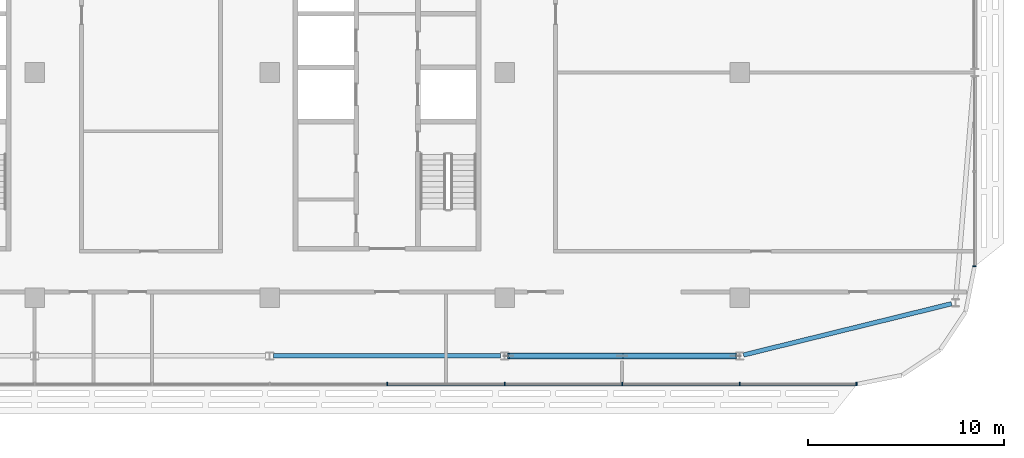
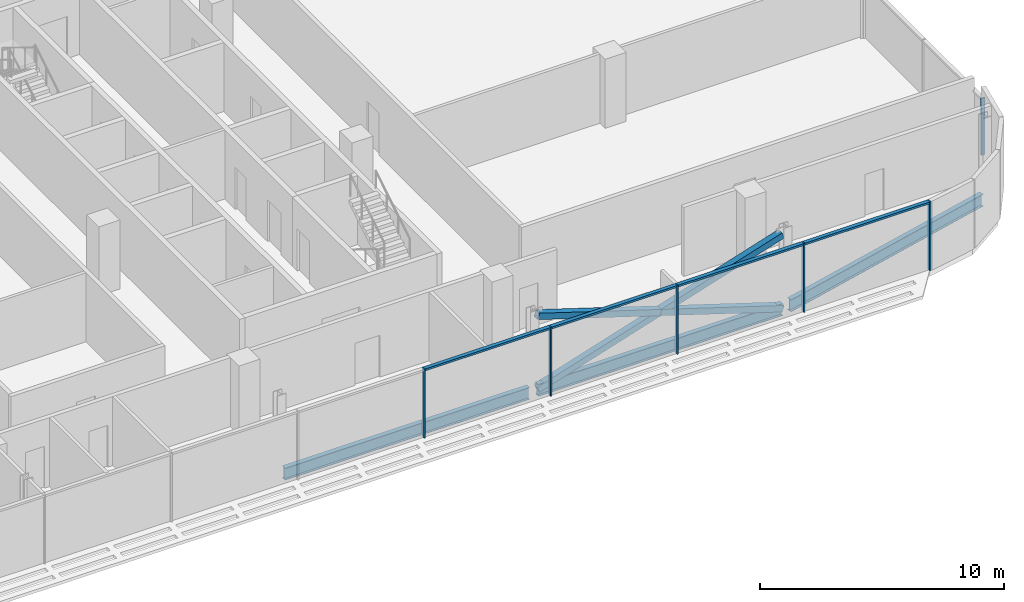
# One storey, part 12 of 32: 13 members, 3 beams, 2 elements without a shape of their own.
"""IFC4 building model written with IfcOpenShell, lengths in metres."""

from ifc_helpers import new_model, si_unit, direction, frame, origin, origin_2d, place, context, subcontext, project, spatial, rectangle, hollow_rectangle, i_section, extrude, material, material_profile, profile_set, type_object, element, aggregate, save


model = new_model("IFC4")

# Units and contexts
model_context = context("Model", 3, precision=1e-05, world=origin(), true_north=direction((0.0, 1.0)))
body_context = subcontext(model_context, "Body", "Model", "MODEL_VIEW")
ifc_project = project(units=[si_unit("LENGTHUNIT", "METRE"), si_unit("AREAUNIT", "SQUARE_METRE"), si_unit("VOLUMEUNIT", "CUBIC_METRE"), si_unit("PLANEANGLEUNIT", "RADIAN"), si_unit("MASSUNIT", "GRAM", prefix="KILO")], contexts=[model_context])

# Site, building, storey
site_placement = place(None, origin())
site = spatial("IfcSite", under=ifc_project, at=site_placement, CompositionType="ELEMENT")
building_placement = place(site_placement, origin())
building = spatial("IfcBuilding", under=site, at=building_placement, Name="Mahtab Terrace Research Tower", CompositionType="ELEMENT")
storey_placement = place(building_placement, frame((0.0, 0.0, 240.0)))
storey = spatial("IfcBuildingStorey", under=building, at=storey_placement, Name="L58", CompositionType="ELEMENT", Elevation=240.0)

# Members
ifc_material_1 = material(Name="Steel ASTM A500 Gr C", Category="steel")
ifc_material_profile_1 = material_profile(ifc_material_1, hollow_rectangle(XDim=0.3046875, YDim=0.3046875, WallThickness=0.015869140625, at=origin_2d()), Name="HSS12X12X5/8")
ifc_profile_set_1 = profile_set([ifc_material_profile_1], Name="Steel ASTM A500 Gr C")
member_type_1 = type_object("IfcMemberType", Name="HSS 12x12x5/8 brace XB121258", PredefinedType="BRACE", material=ifc_profile_set_1)
member_1_placement = place(storey_placement, frame((30.199462890625, -14.472900390625, -0.580322265625), z_axis=(0.953344342533, 0.0, 0.301885018774), x_axis=(0.0, 1.0, 0.0)))
element("IfcMember", 1, at=member_1_placement, inside=storey, type_object=member_type_1, Name="Exoskeleton brace L58 18 a", PredefinedType="BRACE", context=body_context, shape_type="SweptSolid", body=[
    extrude(hollow_rectangle(XDim=0.3046875, YDim=0.3046875, WallThickness=0.015869140625, at=origin_2d()), origin(), (0.0, 0.0, 1.0), 12.168701171875),
])
for number, where, z_axis, x_axis, name in (
    (2, (41.800537109375, -14.472900390625, -0.580322265625), (-0.953350116476, 0.0, 0.301866784219), (0.0, -1.0, 0.0), "Exoskeleton brace L58 18 b1"),
    (3, (36.0, -14.472900390625, 1.25634765625), (-0.953338568311, 0.0, 0.301903252998), (0.0, -1.0, 0.0), "Exoskeleton brace L58 18 b2"),
):
    element("IfcMember", number, at=place(storey_placement, frame(where, z_axis=z_axis, x_axis=x_axis)), inside=storey, type_object=member_type_1, Name=name, PredefinedType="BRACE", context=body_context, shape_type="SweptSolid", body=[
        extrude(hollow_rectangle(XDim=0.3046875, YDim=0.3046875, WallThickness=0.015869140625, at=origin_2d()), origin(), (0.0, 0.0, 1.0), 6.08447265625),
    ])

# Curtain wall, members
ifc_material_2 = material(Name="Office ribbon curtain wall")
curtain_wall_type = type_object("IfcCurtainWallType", Name="Office ribbon curtain wall", PredefinedType="NOTDEFINED", material=ifc_material_2)
curtain_wall_1_placement = place(storey_placement, origin())
curtain_wall_1 = element("IfcCurtainWall", 4, at=curtain_wall_1_placement, inside=storey, type_object=curtain_wall_type, Name="EN.L58.13.16", PredefinedType="NOTDEFINED")
ifc_material_3 = material(Name="Natural anodised aluminium", Category="aluminium")
ifc_material_profile_2 = material_profile(ifc_material_3, rectangle(XDim=0.179931640625, YDim=0.06005859375, at=origin_2d()), Name="MULLION 60x180")
ifc_profile_set_2 = profile_set([ifc_material_profile_2], Name="Natural anodised aluminium")
member_type_2 = type_object("IfcMemberType", Name="Office ribbon curtain wall mullion", PredefinedType="MULLION", material=ifc_profile_set_2)
member_2_placement = place(storey_placement, frame((24.0, -15.9169921875, 0.0), z_axis=(0.0, 0.0, 1.0), x_axis=(0.0, 1.0, 0.0)))
member_2 = element("IfcMember", 5, at=member_2_placement, type_object=member_type_2, Name="CWO-7 mullion 11", PredefinedType="MULLION", context=body_context, shape_type="SweptSolid", body=[
    extrude(rectangle(XDim=0.179931640625, YDim=0.06005859375, at=origin_2d()), origin(), (0.0, 0.0, 1.0), 3.4599609375),
])
member_3_placement = place(storey_placement, frame((30.0, -15.9169921875, 0.0), z_axis=(0.0, 0.0, 1.0), x_axis=(0.0, 1.0, 0.0)))
member_3 = element("IfcMember", 6, at=member_3_placement, type_object=member_type_2, Name="CWO-7 mullion 12", PredefinedType="MULLION", context=body_context, shape_type="SweptSolid", body=[
    extrude(rectangle(XDim=0.179931640625, YDim=0.06005859375, at=origin_2d()), origin(), (0.0, 0.0, 1.0), 3.4599609375),
])
member_4_placement = place(storey_placement, frame((36.0, -15.9169921875, 0.0), z_axis=(0.0, 0.0, 1.0), x_axis=(0.0, 1.0, 0.0)))
member_4 = element("IfcMember", 7, at=member_4_placement, type_object=member_type_2, Name="CWO-7 mullion 13", PredefinedType="MULLION", context=body_context, shape_type="SweptSolid", body=[
    extrude(rectangle(XDim=0.179931640625, YDim=0.06005859375, at=origin_2d()), origin(), (0.0, 0.0, 1.0), 3.4599609375),
])
member_5_placement = place(storey_placement, frame((42.0, -15.9169921875, 0.0), z_axis=(0.0, 0.0, 1.0), x_axis=(0.0, 1.0, 0.0)))
member_5 = element("IfcMember", 8, at=member_5_placement, type_object=member_type_2, Name="CWO-7 mullion 14", PredefinedType="MULLION", context=body_context, shape_type="SweptSolid", body=[
    extrude(rectangle(XDim=0.179931640625, YDim=0.06005859375, at=origin_2d()), origin(), (0.0, 0.0, 1.0), 3.4599609375),
])
member_6_placement = place(storey_placement, frame((47.969970703125, -15.9169921875, 0.0), z_axis=(0.0, 0.0, 1.0), x_axis=(0.0, 1.0, 0.0)))
member_6 = element("IfcMember", 9, at=member_6_placement, type_object=member_type_2, Name="CWO-7 mullion 15", PredefinedType="MULLION", context=body_context, shape_type="SweptSolid", body=[
    extrude(rectangle(XDim=0.179931640625, YDim=0.06005859375, at=origin_2d()), origin(), (0.0, 0.0, 1.0), 3.4599609375),
])

# Curtain wall, member
curtain_wall_2_placement = place(storey_placement, origin())
curtain_wall_2 = element("IfcCurtainWall", 10, at=curtain_wall_2_placement, inside=storey, type_object=curtain_wall_type, Name="EN.L58.18.21", PredefinedType="NOTDEFINED")
member_7_placement = place(storey_placement, frame((54.0, -9.886962890625, 0.0), z_axis=(0.0, 0.0, 1.0), x_axis=(-1.0, 0.0, 0.0)))
member_7 = element("IfcMember", 11, at=member_7_placement, type_object=member_type_2, Name="CWO-7 mullion 1", PredefinedType="MULLION", context=body_context, shape_type="SweptSolid", body=[
    extrude(rectangle(XDim=0.179931640625, YDim=0.06005859375, at=origin_2d()), origin(), (0.0, 0.0, 1.0), 2.852783203125),
])
aggregate(curtain_wall_2, [member_7])

# Member
ifc_material_profile_3 = material_profile(ifc_material_3, rectangle(XDim=0.179931640625, YDim=0.10009765625, at=origin_2d()), Name="TRANSOM 100x180")
ifc_profile_set_3 = profile_set([ifc_material_profile_3], Name="Natural anodised aluminium")
member_type_3 = type_object("IfcMemberType", Name="Office ribbon curtain wall transom", PredefinedType="USERDEFINED", material=ifc_profile_set_3)
member_8_placement = place(storey_placement, frame((24.030029296875, -15.9169921875, 3.409912109375), z_axis=(1.0, 0.0, 0.0), x_axis=(0.0, 1.0, 0.0)))
member_8 = element("IfcMember", 12, at=member_8_placement, type_object=member_type_3, Name="CWO-7 transom 11", ObjectType="TRANSOM", PredefinedType="USERDEFINED", context=body_context, shape_type="SweptSolid", body=[
    extrude(rectangle(XDim=0.179931640625, YDim=0.10009765625, at=origin_2d()), origin(), (0.0, 0.0, 1.0), 5.93994140625),
])

member_9_placement = place(storey_placement, frame((30.030029296875, -15.9169921875, 3.409912109375), z_axis=(1.0, 0.0, 0.0), x_axis=(0.0, 1.0, 0.0)))
member_9 = element("IfcMember", 13, at=member_9_placement, type_object=member_type_3, Name="CWO-7 transom 12", ObjectType="TRANSOM", PredefinedType="USERDEFINED", context=body_context, shape_type="SweptSolid", body=[
    extrude(rectangle(XDim=0.179931640625, YDim=0.10009765625, at=origin_2d()), origin(), (0.0, 0.0, 1.0), 5.93994140625),
])

member_10_placement = place(storey_placement, frame((36.030029296875, -15.9169921875, 3.409912109375), z_axis=(1.0, 0.0, 0.0), x_axis=(0.0, 1.0, 0.0)))
member_10 = element("IfcMember", 14, at=member_10_placement, type_object=member_type_3, Name="CWO-7 transom 13", ObjectType="TRANSOM", PredefinedType="USERDEFINED", context=body_context, shape_type="SweptSolid", body=[
    extrude(rectangle(XDim=0.179931640625, YDim=0.10009765625, at=origin_2d()), origin(), (0.0, 0.0, 1.0), 5.93994140625),
])

member_11_placement = place(storey_placement, frame((42.030029296875, -15.9169921875, 3.409912109375), z_axis=(1.0, 0.0, 0.0), x_axis=(0.0, 1.0, 0.0)))
member_11 = element("IfcMember", 15, at=member_11_placement, type_object=member_type_3, Name="CWO-7 transom 14", ObjectType="TRANSOM", PredefinedType="USERDEFINED", context=body_context, shape_type="SweptSolid", body=[
    extrude(rectangle(XDim=0.179931640625, YDim=0.10009765625, at=origin_2d()), origin(), (0.0, 0.0, 1.0), 5.909912109375),
])

aggregate(curtain_wall_1, [member_2, member_3, member_4, member_5, member_6, member_8, member_9, member_10, member_11])

# Beams
ifc_material_4 = material(Name="Steel ASTM A992 Gr 50", Category="steel")
ifc_material_profile_4 = material_profile(ifc_material_4, i_section(OverallWidth=0.228271484375, OverallDepth=0.607177734375, WebThickness=0.01123046875, FlangeThickness=0.017333984375, at=origin_2d()), Name="W24X76")
ifc_profile_set_4 = profile_set([ifc_material_profile_4], Name="Steel ASTM A992 Gr 50")
beam_type = type_object("IfcBeamType", Name="W24x76 beam BS2476", PredefinedType="BEAM", material=ifc_profile_set_4)
for number, where, z_axis, x_axis, name in (
    (16, (18.199462890625, -14.472900390625, -0.6435546875), (1.0, 0.0, 0.0), (0.0, 1.0, 0.0), "Spandrel beam L58 17"),
    (17, (30.199462890625, -14.472900390625, -0.6435546875), (1.0, 0.0, 0.0), (0.0, 1.0, 0.0), "Spandrel beam L58 18"),
):
    element("IfcBeam", number, at=place(storey_placement, frame(where, z_axis=z_axis, x_axis=x_axis)), inside=storey, type_object=beam_type, Name=name, PredefinedType="BEAM", context=body_context, shape_type="SweptSolid", body=[
        extrude(i_section(OverallWidth=0.228271484375, OverallDepth=0.607177734375, WebThickness=0.01123046875, FlangeThickness=0.017333984375, at=origin_2d()), origin(), (0.0, 0.0, 1.0), 11.60107421875),
    ])
beam_placement = place(storey_placement, frame((42.199462890625, -14.423828125, -0.6435546875), z_axis=(0.970971673225, 0.239194502014, 0.0), x_axis=(-0.239194502014, 0.970971673225, 0.0)))
element("IfcBeam", 18, at=beam_placement, inside=storey, type_object=beam_type, Name="Spandrel beam L58 19", PredefinedType="BEAM", context=body_context, shape_type="SweptSolid", body=[
    extrude(i_section(OverallWidth=0.228271484375, OverallDepth=0.607177734375, WebThickness=0.01123046875, FlangeThickness=0.017333984375, at=origin_2d()), origin(), (0.0, 0.0, 1.0), 10.939697265625),
])

save(model, "model.ifc")
